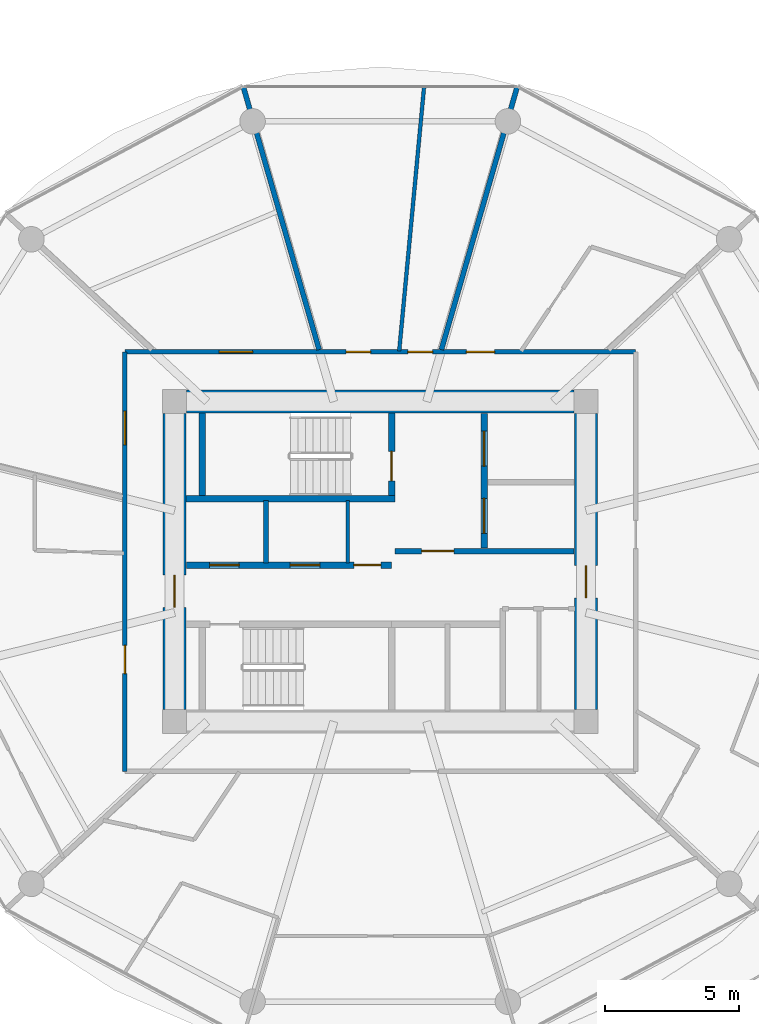
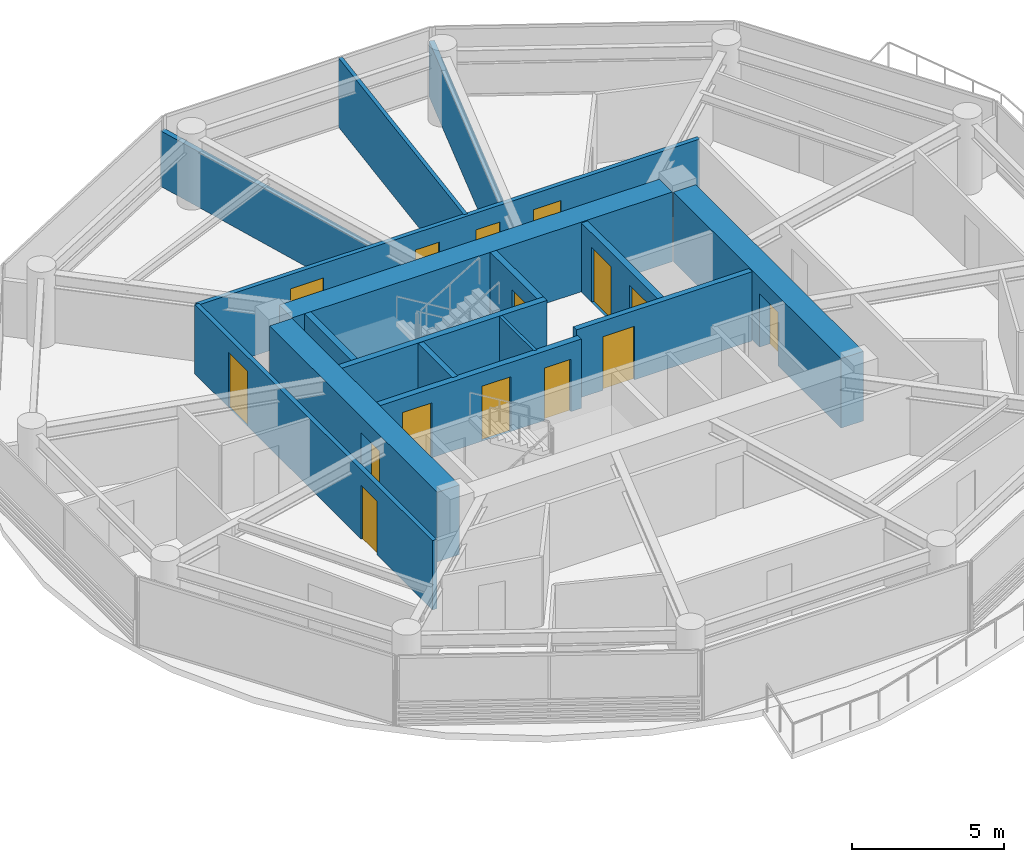
# One storey, part 20 of 27: 16 walls, 15 doors, 15 openings.
"""IFC4 building model written with IfcOpenShell, lengths in metres."""

from ifc_helpers import new_model, si_unit, direction, frame, frame_2d, origin, place, context, subcontext, project, spatial, rectangle, extrude, source, transform, mapped, material, layer, layer_set, type_object, type_shapes, element, fill, save


model = new_model("IFC4")

# Units and contexts
model_context = context("Model", 3, precision=1e-05, world=origin(), true_north=direction((0.0, 1.0)))
body_context = subcontext(model_context, "Body", "Model", "MODEL_VIEW")
ifc_project = project(units=[si_unit("LENGTHUNIT", "METRE"), si_unit("AREAUNIT", "SQUARE_METRE"), si_unit("VOLUMEUNIT", "CUBIC_METRE"), si_unit("PLANEANGLEUNIT", "RADIAN"), si_unit("MASSUNIT", "GRAM", prefix="KILO")], contexts=[model_context])

# Site, building, storey
site_placement = place(None, origin())
site = spatial("IfcSite", under=ifc_project, at=site_placement, CompositionType="ELEMENT")
building_placement = place(site_placement, origin())
building = spatial("IfcBuilding", under=site, at=building_placement, Name="Norrkilde Senior Care Towers", CompositionType="ELEMENT")
storey_placement = place(building_placement, frame((0.0, 0.0, 33.800048828125)))
storey = spatial("IfcBuildingStorey", under=building, at=storey_placement, Name="L09", CompositionType="ELEMENT", Elevation=33.800048828125)

# Wall
ifc_material_1 = material(Name="Concrete C60/75", Category="concrete")
ifc_layer_1 = layer(ifc_material_1, 0.85009765625)
ifc_layer_set_1 = layer_set([ifc_layer_1], Name="Concrete C60/75")
wall_type_1 = type_object("IfcWallType", Name="Core Shear Wall Z1 850", PredefinedType="SHEAR", material=ifc_layer_set_1)
shared_shape_1 = source(origin(), body_context, "Body", "SweptSolid", [
    extrude(rectangle(XDim=14.39990234375, YDim=0.85009765625, at=frame_2d((7.199951171875, 0.0))), origin(), (0.0, 0.0, 1.0), 2.7900390625),
])
wall_1_placement = place(storey_placement, frame((20.800048828125, 5.949951171875, 0.0), z_axis=(0.0, 0.0, 1.0), x_axis=(1.0, 0.0, 0.0)))
element("IfcWall", 1, at=wall_1_placement, inside=storey, type_object=wall_type_1, Name="L09 Core E North Shear Wall", PredefinedType="SHEAR", context=body_context, shape_type="MappedRepresentation", body=[
    mapped(shared_shape_1, transform((0.0, 0.0, 0.0), x_axis=(1.0, 0.0, 0.0), y_axis=(0.0, 1.0, 0.0), z_axis=(0.0, 0.0, 1.0), scale=1.0)),
])

# Wall, opening, door
shared_shape_2 = source(origin(), body_context, "Body", "SweptSolid", [
    extrude(rectangle(XDim=11.0, YDim=0.85009765625, at=frame_2d((5.5, 0.0))), origin(), (0.0, 0.0, 1.0), 2.7900390625),
])
type_shapes(wall_type_1, [shared_shape_1, shared_shape_2])
wall_2_placement = place(storey_placement, frame((20.35009765625, -5.5, 0.0), z_axis=(0.0, 0.0, 1.0), x_axis=(0.0, 1.0, 0.0)))
wall_2 = element("IfcWall", 2, at=wall_2_placement, inside=storey, type_object=wall_type_1, Name="L09 Core E West Shear Wall", PredefinedType="SHEAR", context=body_context, shape_type="MappedRepresentation", body=[
    mapped(shared_shape_2, transform((0.0, 0.0, 0.0), x_axis=(1.0, 0.0, 0.0), y_axis=(0.0, 1.0, 0.0), z_axis=(0.0, 0.0, 1.0), scale=1.0)),
])
opening_1_placement = place(wall_2_placement, frame((3.800048828125, 0.0, 0.0)))
opening_1 = element("IfcOpeningElement", 3, at=opening_1_placement, cuts=wall_2, Name="Opening D-04", PredefinedType="OPENING", context=body_context, shape_type="SweptSolid", body=[
    extrude(rectangle(XDim=1.199951171875, YDim=2.14990234375, at=frame_2d((0.60009765625, 1.074951171875))), frame((0.0, 0.43505859375, 0.0), z_axis=(0.0, -1.0, 0.0), x_axis=(1.0, 0.0, 0.0)), (0.0, 0.0, 1.0), 0.8701171875),
])
ifc_material_2 = material(Name="Galvanised Painted Steel", Category="steel")
door_type_1 = type_object("IfcDoorType", Name="Firefighting Lobby Fire Door 1200x2150", OperationType="NOTDEFINED", PredefinedType="DOOR", material=ifc_material_2)
shared_shape_3 = source(origin(), body_context, "Body", "SweptSolid", [
    extrude(rectangle(XDim=1.199951171875, YDim=2.14990234375, at=frame_2d((0.60009765625, 1.074951171875))), frame((0.0, 0.02490234375, 0.0), z_axis=(0.0, -1.0, 0.0), x_axis=(1.0, 0.0, 0.0)), (0.0, 0.0, 1.0), 0.050048828125),
])
type_shapes(door_type_1, [shared_shape_3])
door_1_placement = place(opening_1_placement, frame((1.199951171875, 0.0, 0.0), z_axis=(0.0, 0.0, 1.0), x_axis=(-1.0, 0.0, 0.0)))
door_1 = element("IfcDoor", 4, at=door_1_placement, inside=storey, type_object=door_type_1, Name="L09 Core E West Portal Door", OperationType="SINGLE_SWING_LEFT", OverallHeight=2.14990234375, OverallWidth=1.199951171875, PredefinedType="DOOR", context=body_context, shape_type="MappedRepresentation", body=[
    mapped(shared_shape_3, transform((0.0, 0.0, 0.0), x_axis=(1.0, 0.0, 0.0), y_axis=(0.0, 1.0, 0.0), z_axis=(0.0, 0.0, 1.0), scale=1.0)),
])
fill(opening_1, door_1)

wall_3_placement = place(storey_placement, frame((35.64990234375, 5.5, 0.0), z_axis=(0.0, 0.0, 1.0), x_axis=(0.0, -1.0, 0.0)))
wall_3 = element("IfcWall", 5, at=wall_3_placement, inside=storey, type_object=wall_type_1, Name="L09 Core E East Shear Wall", PredefinedType="SHEAR", context=body_context, shape_type="MappedRepresentation", body=[
    mapped(shared_shape_2, transform((0.0, 0.0, 0.0), x_axis=(1.0, 0.0, 0.0), y_axis=(0.0, 1.0, 0.0), z_axis=(0.0, 0.0, 1.0), scale=1.0)),
])
opening_2_placement = place(wall_3_placement, frame((5.64990234375, 0.0, 0.0)))
opening_2 = element("IfcOpeningElement", 6, at=opening_2_placement, cuts=wall_3, Name="Opening D-04", PredefinedType="OPENING", context=body_context, shape_type="SweptSolid", body=[
    extrude(rectangle(XDim=1.199951171875, YDim=2.14990234375, at=frame_2d((0.60009765625, 1.074951171875))), frame((0.0, 0.43505859375, 0.0), z_axis=(0.0, -1.0, 0.0), x_axis=(1.0, 0.0, 0.0)), (0.0, 0.0, 1.0), 0.8701171875),
])
door_2_placement = place(opening_2_placement, frame((1.199951171875, 0.0, 0.0), z_axis=(0.0, 0.0, 1.0), x_axis=(-1.0, 0.0, 0.0)))
door_2 = element("IfcDoor", 7, at=door_2_placement, inside=storey, type_object=door_type_1, Name="L09 Core E East Portal Door", OperationType="SINGLE_SWING_RIGHT", OverallHeight=2.14990234375, OverallWidth=1.199951171875, PredefinedType="DOOR", context=body_context, shape_type="MappedRepresentation", body=[
    mapped(shared_shape_3, transform((0.0, 0.0, 0.0), x_axis=(1.0, 0.0, 0.0), y_axis=(0.0, 1.0, 0.0), z_axis=(0.0, 0.0, 1.0), scale=1.0)),
])
fill(opening_2, door_2)

# Wall, openings, doors
ifc_material_3 = material(Name="Concrete C45/55", Category="concrete")
ifc_layer_2 = layer(ifc_material_3, 0.239990234375)
ifc_layer_set_2 = layer_set([ifc_layer_2], Name="Concrete C45/55")
wall_type_2 = type_object("IfcWallType", Name="Lift and Plant Rated Enclosure Partition 240", PredefinedType="PARTITIONING", material=ifc_layer_set_2)
shared_shape_4 = source(origin(), body_context, "Body", "SweptSolid", [
    extrude(rectangle(XDim=5.0, YDim=0.239990234375, at=frame_2d((2.5, 0.0))), origin(), (0.0, 0.0, 1.0), 2.77490234375),
])
wall_4_placement = place(storey_placement, frame((31.860107421875, 0.5, 0.0), z_axis=(0.0, 0.0, 1.0), x_axis=(0.0, 1.0, 0.0)))
wall_4 = element("IfcWall", 8, at=wall_4_placement, inside=storey, type_object=wall_type_2, Name="WL-INT-L09-E-FFLE", PredefinedType="PARTITIONING", context=body_context, shape_type="MappedRepresentation", body=[
    mapped(shared_shape_4, transform((0.0, 0.0, 0.0), x_axis=(1.0, 0.0, 0.0), y_axis=(0.0, 1.0, 0.0), z_axis=(0.0, 0.0, 1.0), scale=1.0)),
])
opening_3_placement = place(wall_4_placement, frame((3.050048828125, 0.0, 0.0)))
opening_3 = element("IfcOpeningElement", 9, at=opening_3_placement, cuts=wall_4, Name="Opening LD-02", PredefinedType="OPENING", context=body_context, shape_type="SweptSolid", body=[
    extrude(rectangle(XDim=1.300048828125, YDim=2.199951171875, at=frame_2d((0.64990234375, 1.10009765625))), frame((0.0, 0.1298828125, 0.0), z_axis=(0.0, -1.0, 0.0), x_axis=(1.0, 0.0, 0.0)), (0.0, 0.0, 1.0), 0.260009765625),
])
opening_4_placement = place(wall_4_placement, frame((0.550048828125, 0.0, 0.0)))
opening_4 = element("IfcOpeningElement", 10, at=opening_4_placement, cuts=wall_4, Name="Opening LD-02", PredefinedType="OPENING", context=body_context, shape_type="SweptSolid", body=[
    extrude(rectangle(XDim=1.300048828125, YDim=2.199951171875, at=frame_2d((0.64990234375, 1.10009765625))), frame((0.0, 0.1298828125, 0.0), z_axis=(0.0, -1.0, 0.0), x_axis=(1.0, 0.0, 0.0)), (0.0, 0.0, 1.0), 0.260009765625),
])
ifc_material_4 = material(Name="Stainless Steel", Category="steel")
door_type_2 = type_object("IfcDoorType", Name="Stretcher and FFL Landing Sliding Door 1300x2200", OperationType="NOTDEFINED", PredefinedType="DOOR", material=ifc_material_4)
shared_shape_5 = source(origin(), body_context, "Body", "SweptSolid", [
    extrude(rectangle(XDim=1.300048828125, YDim=2.199951171875, at=frame_2d((0.64990234375, 1.10009765625))), frame((0.0, 0.02490234375, 0.0), z_axis=(0.0, -1.0, 0.0), x_axis=(1.0, 0.0, 0.0)), (0.0, 0.0, 1.0), 0.050048828125),
])
type_shapes(door_type_2, [shared_shape_5])
door_3_placement = place(opening_3_placement, origin())
door_3 = element("IfcDoor", 11, at=door_3_placement, inside=storey, type_object=door_type_2, Name="L09 Firefighting Lift E1 Landing Door", OperationType="SLIDING_TO_LEFT", OverallHeight=2.199951171875, OverallWidth=1.300048828125, PredefinedType="DOOR", context=body_context, shape_type="MappedRepresentation", body=[
    mapped(shared_shape_5, transform((0.0, 0.0, 0.0), x_axis=(1.0, 0.0, 0.0), y_axis=(0.0, 1.0, 0.0), z_axis=(0.0, 0.0, 1.0), scale=1.0)),
])
fill(opening_3, door_3)
door_4_placement = place(opening_4_placement, origin())
door_4 = element("IfcDoor", 12, at=door_4_placement, inside=storey, type_object=door_type_2, Name="L09 Stretcher Lift E1 Landing Door", OperationType="SLIDING_TO_RIGHT", OverallHeight=2.199951171875, OverallWidth=1.300048828125, PredefinedType="DOOR", context=body_context, shape_type="MappedRepresentation", body=[
    mapped(shared_shape_5, transform((0.0, 0.0, 0.0), x_axis=(1.0, 0.0, 0.0), y_axis=(0.0, 1.0, 0.0), z_axis=(0.0, 0.0, 1.0), scale=1.0)),
])
fill(opening_4, door_4)

# Wall, opening, door
ifc_layer_3 = layer(ifc_material_3, 0.2099609375)
ifc_layer_set_3 = layer_set([ifc_layer_3], Name="Concrete C45/55")
wall_type_3 = type_object("IfcWallType", Name="Firefighting Lobby Wall 210", PredefinedType="PARTITIONING", material=ifc_layer_set_3)
shared_shape_6 = source(origin(), body_context, "Body", "SweptSolid", [
    extrude(rectangle(XDim=6.659912109375, YDim=0.2099609375, at=frame_2d((3.330078125, 0.0))), origin(), (0.0, 0.0, 1.0), 2.77490234375),
])
type_shapes(wall_type_3, [shared_shape_6])
wall_5_placement = place(storey_placement, frame((28.5400390625, 0.389892578125, 0.0), z_axis=(0.0, 0.0, 1.0), x_axis=(1.0, 0.0, 0.0)))
wall_5 = element("IfcWall", 13, at=wall_5_placement, inside=storey, type_object=wall_type_3, Name="WL-INT-L09-E-FFLS", PredefinedType="PARTITIONING", context=body_context, shape_type="MappedRepresentation", body=[
    mapped(shared_shape_6, transform((0.0, 0.0, 0.0), x_axis=(1.0, 0.0, 0.0), y_axis=(0.0, 1.0, 0.0), z_axis=(0.0, 0.0, 1.0), scale=1.0)),
])
opening_5_placement = place(wall_5_placement, frame((1.0, 0.0, 0.0)))
opening_5 = element("IfcOpeningElement", 14, at=opening_5_placement, cuts=wall_5, Name="Opening D-04", PredefinedType="OPENING", context=body_context, shape_type="SweptSolid", body=[
    extrude(rectangle(XDim=1.199951171875, YDim=2.14990234375, at=frame_2d((0.60009765625, 1.074951171875))), frame((0.0, 0.114990234375, 0.0), z_axis=(0.0, -1.0, 0.0), x_axis=(1.0, 0.0, 0.0)), (0.0, 0.0, 1.0), 0.22998046875),
])
door_5_placement = place(opening_5_placement, frame((1.199951171875, 0.0, 0.0), z_axis=(0.0, 0.0, 1.0), x_axis=(-1.0, 0.0, 0.0)))
door_5 = element("IfcDoor", 15, at=door_5_placement, inside=storey, type_object=door_type_1, Name="L09 Firefighting Lobby E Door", OperationType="SINGLE_SWING_LEFT", OverallHeight=2.14990234375, OverallWidth=1.199951171875, PredefinedType="DOOR", context=body_context, shape_type="MappedRepresentation", body=[
    mapped(shared_shape_3, transform((0.0, 0.0, 0.0), x_axis=(1.0, 0.0, 0.0), y_axis=(0.0, 1.0, 0.0), z_axis=(0.0, 0.0, 1.0), scale=1.0)),
])
fill(opening_5, door_5)

# Wall, openings, doors
shared_shape_7 = source(origin(), body_context, "Body", "SweptSolid", [
    extrude(rectangle(XDim=7.619873046875, YDim=0.239990234375, at=frame_2d((3.81005859375, 0.0))), origin(), (0.0, 0.0, 1.0), 2.77490234375),
])
type_shapes(wall_type_2, [shared_shape_4, shared_shape_7])
wall_6_placement = place(storey_placement, frame((20.800048828125, -0.1298828125, 0.0), z_axis=(0.0, 0.0, 1.0), x_axis=(1.0, 0.0, 0.0)))
wall_6 = element("IfcWall", 16, at=wall_6_placement, inside=storey, type_object=wall_type_2, Name="WL-INT-L09-E-PKAS", PredefinedType="PARTITIONING", context=body_context, shape_type="MappedRepresentation", body=[
    mapped(shared_shape_7, transform((0.0, 0.0, 0.0), x_axis=(1.0, 0.0, 0.0), y_axis=(0.0, 1.0, 0.0), z_axis=(0.0, 0.0, 1.0), scale=1.0)),
])
opening_6_placement = place(wall_6_placement, frame((6.219970703125, 0.0, 0.0)))
opening_6 = element("IfcOpeningElement", 17, at=opening_6_placement, cuts=wall_6, Name="Opening D-10", PredefinedType="OPENING", context=body_context, shape_type="SweptSolid", body=[
    extrude(rectangle(XDim=1.0, YDim=2.10009765625, at=frame_2d((0.5, 1.050048828125))), frame((0.0, 0.1298828125, 0.0), z_axis=(0.0, -1.0, 0.0), x_axis=(1.0, 0.0, 0.0)), (0.0, 0.0, 1.0), 0.260009765625),
])
opening_7_placement = place(wall_6_placement, frame((0.85009765625, 0.0, 0.0)))
opening_7 = element("IfcOpeningElement", 18, at=opening_7_placement, cuts=wall_6, Name="Opening LD-01", PredefinedType="OPENING", context=body_context, shape_type="SweptSolid", body=[
    extrude(rectangle(XDim=1.10009765625, YDim=2.199951171875, at=frame_2d((0.550048828125, 1.10009765625))), frame((0.0, 0.1298828125, 0.0), z_axis=(0.0, -1.0, 0.0), x_axis=(1.0, 0.0, 0.0)), (0.0, 0.0, 1.0), 0.260009765625),
])
opening_8_placement = place(wall_6_placement, frame((3.85009765625, 0.0, 0.0)))
opening_8 = element("IfcOpeningElement", 19, at=opening_8_placement, cuts=wall_6, Name="Opening LD-01", PredefinedType="OPENING", context=body_context, shape_type="SweptSolid", body=[
    extrude(rectangle(XDim=1.10009765625, YDim=2.199951171875, at=frame_2d((0.550048828125, 1.10009765625))), frame((0.0, 0.1298828125, 0.0), z_axis=(0.0, -1.0, 0.0), x_axis=(1.0, 0.0, 0.0)), (0.0, 0.0, 1.0), 0.260009765625),
])
door_type_3 = type_object("IfcDoorType", Name="Plant and Riser Rated Door 1000x2100", OperationType="NOTDEFINED", PredefinedType="DOOR", material=ifc_material_2)
shared_shape_8 = source(origin(), body_context, "Body", "SweptSolid", [
    extrude(rectangle(XDim=1.0, YDim=2.10009765625, at=frame_2d((0.5, 1.050048828125))), frame((0.0, 0.02490234375, 0.0), z_axis=(0.0, -1.0, 0.0), x_axis=(1.0, 0.0, 0.0)), (0.0, 0.0, 1.0), 0.050048828125),
])
type_shapes(door_type_3, [shared_shape_8])
door_6_placement = place(opening_6_placement, frame((1.0, 0.0, 0.0), z_axis=(0.0, 0.0, 1.0), x_axis=(-1.0, 0.0, 0.0)))
door_6 = element("IfcDoor", 20, at=door_6_placement, inside=storey, type_object=door_type_3, Name="L09 Electrical Riser E Door", OperationType="SINGLE_SWING_LEFT", OverallHeight=2.10009765625, OverallWidth=1.0, PredefinedType="DOOR", context=body_context, shape_type="MappedRepresentation", body=[
    mapped(shared_shape_8, transform((0.0, 0.0, 0.0), x_axis=(1.0, 0.0, 0.0), y_axis=(0.0, 1.0, 0.0), z_axis=(0.0, 0.0, 1.0), scale=1.0)),
])
fill(opening_6, door_6)
door_type_4 = type_object("IfcDoorType", Name="Lift Landing Sliding Door 1100x2200", OperationType="NOTDEFINED", PredefinedType="DOOR", material=ifc_material_4)
shared_shape_9 = source(origin(), body_context, "Body", "SweptSolid", [
    extrude(rectangle(XDim=1.10009765625, YDim=2.199951171875, at=frame_2d((0.550048828125, 1.10009765625))), frame((0.0, 0.02490234375, 0.0), z_axis=(0.0, -1.0, 0.0), x_axis=(1.0, 0.0, 0.0)), (0.0, 0.0, 1.0), 0.050048828125),
])
type_shapes(door_type_4, [shared_shape_9])
door_7_placement = place(opening_7_placement, origin())
door_7 = element("IfcDoor", 21, at=door_7_placement, inside=storey, type_object=door_type_4, Name="L09 Passenger Lift E1 Landing Door", OperationType="SLIDING_TO_LEFT", OverallHeight=2.199951171875, OverallWidth=1.10009765625, PredefinedType="DOOR", context=body_context, shape_type="MappedRepresentation", body=[
    mapped(shared_shape_9, transform((0.0, 0.0, 0.0), x_axis=(1.0, 0.0, 0.0), y_axis=(0.0, 1.0, 0.0), z_axis=(0.0, 0.0, 1.0), scale=1.0)),
])
fill(opening_7, door_7)
door_8_placement = place(opening_8_placement, origin())
door_8 = element("IfcDoor", 22, at=door_8_placement, inside=storey, type_object=door_type_4, Name="L09 Passenger Lift E2 Landing Door", OperationType="SLIDING_TO_RIGHT", OverallHeight=2.199951171875, OverallWidth=1.10009765625, PredefinedType="DOOR", context=body_context, shape_type="MappedRepresentation", body=[
    mapped(shared_shape_9, transform((0.0, 0.0, 0.0), x_axis=(1.0, 0.0, 0.0), y_axis=(0.0, 1.0, 0.0), z_axis=(0.0, 0.0, 1.0), scale=1.0)),
])
fill(opening_8, door_8)

# Walls
ifc_material_5 = material(Name="Gypsum Acoustic Board")
ifc_layer_4 = layer(ifc_material_5, 0.114990234375)
ifc_layer_set_4 = layer_set([ifc_layer_4], Name="Gypsum Acoustic Board")
wall_type_4 = type_object("IfcWallType", Name="Internal Room Partition 115", PredefinedType="PARTITIONING", material=ifc_layer_set_4)
shared_shape_10 = source(origin(), body_context, "Body", "SweptSolid", [
    extrude(rectangle(XDim=2.330078125, YDim=0.114990234375, at=frame_2d((1.1650390625, 0.0))), origin(), (0.0, 0.0, 1.0), 2.77490234375),
])
type_shapes(wall_type_4, [shared_shape_10])
wall_7_placement = place(storey_placement, frame((26.7900390625, -0.050048828125, 0.0), z_axis=(0.0, 0.0, 1.0), x_axis=(0.0, 1.0, 0.0)))
element("IfcWall", 23, at=wall_7_placement, inside=storey, type_object=wall_type_4, Name="WL-INT-L09-E-RISW", PredefinedType="PARTITIONING", context=body_context, shape_type="MappedRepresentation", body=[
    mapped(shared_shape_10, transform((0.0, 0.0, 0.0), x_axis=(1.0, 0.0, 0.0), y_axis=(0.0, 1.0, 0.0), z_axis=(0.0, 0.0, 1.0), scale=1.0)),
])
ifc_layer_5 = layer(ifc_material_3, 0.199951171875)
ifc_layer_set_5 = layer_set([ifc_layer_5], Name="Concrete C45/55")
wall_type_5 = type_object("IfcWallType", Name="Shaft Division and Plant Partition 200", PredefinedType="PARTITIONING", material=ifc_layer_set_5)
shared_shape_11 = source(origin(), body_context, "Body", "SweptSolid", [
    extrude(rectangle(XDim=2.330078125, YDim=0.199951171875, at=frame_2d((1.1650390625, 0.0))), origin(), (0.0, 0.0, 1.0), 2.77490234375),
])
type_shapes(wall_type_5, [shared_shape_11])
wall_8_placement = place(storey_placement, frame((23.75, -0.050048828125, 0.0), z_axis=(0.0, 0.0, 1.0), x_axis=(0.0, 1.0, 0.0)))
element("IfcWall", 24, at=wall_8_placement, inside=storey, type_object=wall_type_5, Name="WL-INT-L09-E-PL12", PredefinedType="PARTITIONING", context=body_context, shape_type="MappedRepresentation", body=[
    mapped(shared_shape_11, transform((0.0, 0.0, 0.0), x_axis=(1.0, 0.0, 0.0), y_axis=(0.0, 1.0, 0.0), z_axis=(0.0, 0.0, 1.0), scale=1.0)),
])

# Wall, openings, doors
ifc_layer_6 = layer(ifc_material_5, 0.1650390625)
ifc_layer_set_6 = layer_set([ifc_layer_6], Name="Gypsum Acoustic Board")
wall_type_6 = type_object("IfcWallType", Name="Corridor Rated Partition 165", PredefinedType="PARTITIONING", material=ifc_layer_set_6)
shared_shape_12 = source(origin(), body_context, "Body", "SweptSolid", [
    extrude(rectangle(XDim=19.0, YDim=0.1650390625, at=frame_2d((9.5, 0.0))), origin(), (0.0, 0.0, 1.0), 2.77490234375),
])
wall_9_placement = place(storey_placement, frame((18.5, 7.800048828125, 0.0), z_axis=(0.0, 0.0, 1.0), x_axis=(1.0, 0.0, 0.0)))
wall_9 = element("IfcWall", 25, at=wall_9_placement, inside=storey, type_object=wall_type_6, Name="WL-INT-L09-E-CRW-N-0", PredefinedType="PARTITIONING", context=body_context, shape_type="MappedRepresentation", body=[
    mapped(shared_shape_12, transform((0.0, 0.0, 0.0), x_axis=(1.0, 0.0, 0.0), y_axis=(0.0, 1.0, 0.0), z_axis=(0.0, 0.0, 1.0), scale=1.0)),
])
opening_9_placement = place(wall_9_placement, frame((10.523193359375, 0.0, 0.0)))
opening_9 = element("IfcOpeningElement", 26, at=opening_9_placement, cuts=wall_9, Name="Opening D-08", PredefinedType="OPENING", context=body_context, shape_type="SweptSolid", body=[
    extrude(rectangle(XDim=0.919921875, YDim=2.10009765625, at=frame_2d((0.4599609375, 1.050048828125))), frame((0.0, 0.092529296875, 0.0), z_axis=(0.0, -1.0, 0.0), x_axis=(1.0, 0.0, 0.0)), (0.0, 0.0, 1.0), 0.18505859375),
])
opening_10_placement = place(wall_9_placement, frame((8.2255859375, 0.0, 0.0)))
opening_10 = element("IfcOpeningElement", 27, at=opening_10_placement, cuts=wall_9, Name="Opening D-08", PredefinedType="OPENING", context=body_context, shape_type="SweptSolid", body=[
    extrude(rectangle(XDim=0.919921875, YDim=2.10009765625, at=frame_2d((0.4599609375, 1.050048828125))), frame((0.0, 0.092529296875, 0.0), z_axis=(0.0, -1.0, 0.0), x_axis=(1.0, 0.0, 0.0)), (0.0, 0.0, 1.0), 0.18505859375),
])
opening_11_placement = place(wall_9_placement, frame((3.505615234375, 0.0, 0.0)))
opening_11 = element("IfcOpeningElement", 28, at=opening_11_placement, cuts=wall_9, Name="Opening D-05", PredefinedType="OPENING", context=body_context, shape_type="SweptSolid", body=[
    extrude(rectangle(XDim=1.25, YDim=2.199951171875, at=frame_2d((0.625, 1.10009765625))), frame((0.0, 0.092529296875, 0.0), z_axis=(0.0, -1.0, 0.0), x_axis=(1.0, 0.0, 0.0)), (0.0, 0.0, 1.0), 0.18505859375),
])
opening_12_placement = place(wall_9_placement, frame((12.705810546875, 0.0, 0.0)))
opening_12 = element("IfcOpeningElement", 29, at=opening_12_placement, cuts=wall_9, Name="Opening D-06", PredefinedType="OPENING", context=body_context, shape_type="SweptSolid", body=[
    extrude(rectangle(XDim=1.050048828125, YDim=2.14990234375, at=frame_2d((0.52490234375, 1.074951171875))), frame((0.0, 0.092529296875, 0.0), z_axis=(0.0, -1.0, 0.0), x_axis=(1.0, 0.0, 0.0)), (0.0, 0.0, 1.0), 0.18505859375),
])
ifc_material_6 = material(Name="Nordic Ash Timber", Category="wood")
door_type_5 = type_object("IfcDoorType", Name="Care Bedroom Bariatric Door 1250x2200", OperationType="NOTDEFINED", PredefinedType="DOOR", material=ifc_material_6)
shared_shape_13 = source(origin(), body_context, "Body", "SweptSolid", [
    extrude(rectangle(XDim=1.25, YDim=2.199951171875, at=frame_2d((0.625, 1.10009765625))), frame((0.0, 0.02490234375, 0.0), z_axis=(0.0, -1.0, 0.0), x_axis=(1.0, 0.0, 0.0)), (0.0, 0.0, 1.0), 0.050048828125),
])
type_shapes(door_type_5, [shared_shape_13])
door_9_placement = place(opening_11_placement, frame((1.25, 0.0, 0.0), z_axis=(0.0, 0.0, 1.0), x_axis=(-1.0, 0.0, 0.0)))
door_9 = element("IfcDoor", 30, at=door_9_placement, inside=storey, type_object=door_type_5, Name="L09 Resident Therapeutic Day Lounge Door", OperationType="SINGLE_SWING_RIGHT", OverallHeight=2.199951171875, OverallWidth=1.25, PredefinedType="DOOR", context=body_context, shape_type="MappedRepresentation", body=[
    mapped(shared_shape_13, transform((0.0, 0.0, 0.0), x_axis=(1.0, 0.0, 0.0), y_axis=(0.0, 1.0, 0.0), z_axis=(0.0, 0.0, 1.0), scale=1.0)),
])
fill(opening_11, door_9)
door_type_6 = type_object("IfcDoorType", Name="Accessible Wet Room Door 920x2100", OperationType="NOTDEFINED", PredefinedType="DOOR", material=ifc_material_6)
shared_shape_14 = source(origin(), body_context, "Body", "SweptSolid", [
    extrude(rectangle(XDim=0.919921875, YDim=2.10009765625, at=frame_2d((0.4599609375, 1.050048828125))), frame((0.0, 0.02490234375, 0.0), z_axis=(0.0, -1.0, 0.0), x_axis=(1.0, 0.0, 0.0)), (0.0, 0.0, 1.0), 0.050048828125),
])
type_shapes(door_type_6, [shared_shape_14])
door_10_placement = place(opening_9_placement, frame((0.919921875, 0.0, 0.0), z_axis=(0.0, 0.0, 1.0), x_axis=(-1.0, 0.0, 0.0)))
door_10 = element("IfcDoor", 31, at=door_10_placement, inside=storey, type_object=door_type_6, Name="L09 Accessible Restroom Door", OperationType="SINGLE_SWING_LEFT", OverallHeight=2.10009765625, OverallWidth=0.919921875, PredefinedType="DOOR", context=body_context, shape_type="MappedRepresentation", body=[
    mapped(shared_shape_14, transform((0.0, 0.0, 0.0), x_axis=(1.0, 0.0, 0.0), y_axis=(0.0, 1.0, 0.0), z_axis=(0.0, 0.0, 1.0), scale=1.0)),
])
fill(opening_9, door_10)
door_11_placement = place(opening_10_placement, frame((0.919921875, 0.0, 0.0), z_axis=(0.0, 0.0, 1.0), x_axis=(-1.0, 0.0, 0.0)))
door_11 = element("IfcDoor", 32, at=door_11_placement, inside=storey, type_object=door_type_6, Name="L09 Public Restroom Door", OperationType="SINGLE_SWING_RIGHT", OverallHeight=2.10009765625, OverallWidth=0.919921875, PredefinedType="DOOR", context=body_context, shape_type="MappedRepresentation", body=[
    mapped(shared_shape_14, transform((0.0, 0.0, 0.0), x_axis=(1.0, 0.0, 0.0), y_axis=(0.0, 1.0, 0.0), z_axis=(0.0, 0.0, 1.0), scale=1.0)),
])
fill(opening_10, door_11)
door_type_7 = type_object("IfcDoorType", Name="Apartment Entrance Fire Door 1050x2150", OperationType="NOTDEFINED", PredefinedType="DOOR", material=ifc_material_6)
shared_shape_15 = source(origin(), body_context, "Body", "SweptSolid", [
    extrude(rectangle(XDim=1.050048828125, YDim=2.14990234375, at=frame_2d((0.52490234375, 1.074951171875))), frame((0.0, 0.02490234375, 0.0), z_axis=(0.0, -1.0, 0.0), x_axis=(1.0, 0.0, 0.0)), (0.0, 0.0, 1.0), 0.050048828125),
])
type_shapes(door_type_7, [shared_shape_15])
door_12_placement = place(opening_12_placement, frame((1.050048828125, 0.0, 0.0), z_axis=(0.0, 0.0, 1.0), x_axis=(-1.0, 0.0, 0.0)))
door_12 = element("IfcDoor", 33, at=door_12_placement, inside=storey, type_object=door_type_7, Name="L09 Studio 09G Entrance Door", OperationType="SINGLE_SWING_LEFT", OverallHeight=2.14990234375, OverallWidth=1.050048828125, PredefinedType="DOOR", context=body_context, shape_type="MappedRepresentation", body=[
    mapped(shared_shape_15, transform((0.0, 0.0, 0.0), x_axis=(1.0, 0.0, 0.0), y_axis=(0.0, 1.0, 0.0), z_axis=(0.0, 0.0, 1.0), scale=1.0)),
])
fill(opening_12, door_12)

shared_shape_16 = source(origin(), body_context, "Body", "SweptSolid", [
    extrude(rectangle(XDim=15.60009765625, YDim=0.1650390625, at=frame_2d((7.800048828125, 0.0))), origin(), (0.0, 0.0, 1.0), 2.77490234375),
])
type_shapes(wall_type_6, [shared_shape_12, shared_shape_16])
wall_10_placement = place(storey_placement, frame((18.5, -7.800048828125, 0.0), z_axis=(0.0, 0.0, 1.0), x_axis=(0.0, 1.0, 0.0)))
wall_10 = element("IfcWall", 34, at=wall_10_placement, inside=storey, type_object=wall_type_6, Name="WL-INT-L09-E-CRW-W-0", PredefinedType="PARTITIONING", context=body_context, shape_type="MappedRepresentation", body=[
    mapped(shared_shape_16, transform((0.0, 0.0, 0.0), x_axis=(1.0, 0.0, 0.0), y_axis=(0.0, 1.0, 0.0), z_axis=(0.0, 0.0, 1.0), scale=1.0)),
])
opening_13_placement = place(wall_10_placement, frame((12.141357421875, 0.0, 0.0)))
opening_13 = element("IfcOpeningElement", 35, at=opening_13_placement, cuts=wall_10, Name="Opening D-05", PredefinedType="OPENING", context=body_context, shape_type="SweptSolid", body=[
    extrude(rectangle(XDim=1.25, YDim=2.199951171875, at=frame_2d((0.625, 1.10009765625))), frame((0.0, 0.092529296875, 0.0), z_axis=(0.0, -1.0, 0.0), x_axis=(1.0, 0.0, 0.0)), (0.0, 0.0, 1.0), 0.18505859375),
])
opening_14_placement = place(wall_10_placement, frame((3.63037109375, 0.0, 0.0)))
opening_14 = element("IfcOpeningElement", 36, at=opening_14_placement, cuts=wall_10, Name="Opening D-06", PredefinedType="OPENING", context=body_context, shape_type="SweptSolid", body=[
    extrude(rectangle(XDim=1.050048828125, YDim=2.14990234375, at=frame_2d((0.52490234375, 1.074951171875))), frame((0.0, 0.092529296875, 0.0), z_axis=(0.0, -1.0, 0.0), x_axis=(1.0, 0.0, 0.0)), (0.0, 0.0, 1.0), 0.18505859375),
])
door_13_placement = place(opening_13_placement, frame((1.25, 0.0, 0.0), z_axis=(0.0, 0.0, 1.0), x_axis=(-1.0, 0.0, 0.0)))
door_13 = element("IfcDoor", 37, at=door_13_placement, inside=storey, type_object=door_type_5, Name="L09 Care Coordination Charting Office Door", OperationType="SINGLE_SWING_LEFT", OverallHeight=2.199951171875, OverallWidth=1.25, PredefinedType="DOOR", context=body_context, shape_type="MappedRepresentation", body=[
    mapped(shared_shape_13, transform((0.0, 0.0, 0.0), x_axis=(1.0, 0.0, 0.0), y_axis=(0.0, 1.0, 0.0), z_axis=(0.0, 0.0, 1.0), scale=1.0)),
])
fill(opening_13, door_13)
door_14_placement = place(opening_14_placement, frame((1.050048828125, 0.0, 0.0), z_axis=(0.0, 0.0, 1.0), x_axis=(-1.0, 0.0, 0.0)))
door_14 = element("IfcDoor", 38, at=door_14_placement, inside=storey, type_object=door_type_7, Name="Apartment 09D Entrance Door", OperationType="SINGLE_SWING_RIGHT", OverallHeight=2.14990234375, OverallWidth=1.050048828125, PredefinedType="DOOR", context=body_context, shape_type="MappedRepresentation", body=[
    mapped(shared_shape_15, transform((0.0, 0.0, 0.0), x_axis=(1.0, 0.0, 0.0), y_axis=(0.0, 1.0, 0.0), z_axis=(0.0, 0.0, 1.0), scale=1.0)),
])
fill(opening_14, door_14)

# Walls
ifc_layer_7 = layer(ifc_material_5, 0.18994140625)
ifc_layer_set_7 = layer_set([ifc_layer_7], Name="Gypsum Acoustic Board")
wall_type_7 = type_object("IfcWallType", Name="Unit Demising Acoustic Wall 190", PredefinedType="PARTITIONING", material=ifc_layer_set_7)
shared_shape_17 = source(origin(), body_context, "Body", "SweptSolid", [
    extrude(rectangle(XDim=10.196044921875, YDim=0.18994140625, at=frame_2d((5.09814453125, 0.0))), origin(), (0.0, 0.0, 1.0), 2.224853515625),
])
type_shapes(wall_type_7, [shared_shape_17])
for number, where, z_axis, x_axis, name in (
    (39, (30.27294921875, 7.8798828125, 0.0), (0.0, 0.0, 1.0), (0.277136420347, 0.960830580549, 0.0), "WL-INT-L09-E-DEM-02-0"),
    (40, (25.72705078125, 7.8798828125, 0.0), (0.0, 0.0, 1.0), (-0.277136420347, 0.960830580549, 0.0), "WL-INT-L09-E-DEM-03-0"),
):
    element("IfcWall", number, at=place(storey_placement, frame(where, z_axis=z_axis, x_axis=x_axis)), inside=storey, type_object=wall_type_7, Name=name, PredefinedType="PARTITIONING", context=body_context, shape_type="MappedRepresentation", body=[
        mapped(shared_shape_17, transform((0.0, 0.0, 0.0), x_axis=(1.0, 0.0, 0.0), y_axis=(0.0, 1.0, 0.0), z_axis=(0.0, 0.0, 1.0), scale=1.0)),
    ])
ifc_layer_8 = layer(ifc_material_3, 0.239990234375)
ifc_layer_set_8 = layer_set([ifc_layer_8], Name="Concrete C45/55")
wall_type_8 = type_object("IfcWallType", Name="Shaft and Stair Enclosure Wall 240", PredefinedType="PARTITIONING", material=ifc_layer_set_8)
shared_shape_18 = source(origin(), body_context, "Body", "SweptSolid", [
    extrude(rectangle(XDim=7.76513671875, YDim=0.239990234375, at=frame_2d((3.882568359375, 0.0))), origin(), (0.0, 0.0, 1.0), 2.7900390625),
])
wall_11_placement = place(storey_placement, frame((20.77490234375, 2.330078125, 0.0), z_axis=(0.0, 0.0, 1.0), x_axis=(1.0, 0.0, 0.0)))
element("IfcWall", 41, at=wall_11_placement, inside=storey, type_object=wall_type_8, Name="WL-INT-L09-E-ST1S", PredefinedType="PARTITIONING", context=body_context, shape_type="MappedRepresentation", body=[
    mapped(shared_shape_18, transform((0.0, 0.0, 0.0), x_axis=(1.0, 0.0, 0.0), y_axis=(0.0, 1.0, 0.0), z_axis=(0.0, 0.0, 1.0), scale=1.0)),
])
shared_shape_19 = source(origin(), body_context, "Body", "SweptSolid", [
    extrude(rectangle(XDim=3.074951171875, YDim=0.239990234375, at=frame_2d((1.53759765625, 0.0))), origin(), (0.0, 0.0, 1.0), 2.7900390625),
])
type_shapes(wall_type_8, [shared_shape_18, shared_shape_19])
wall_12_placement = place(storey_placement, frame((21.3798828125, 2.449951171875, 0.0), z_axis=(0.0, 0.0, 1.0), x_axis=(0.0, 1.0, 0.0)))
element("IfcWall", 42, at=wall_12_placement, inside=storey, type_object=wall_type_8, Name="WL-INT-L09-E-ST1W", PredefinedType="PARTITIONING", context=body_context, shape_type="MappedRepresentation", body=[
    mapped(shared_shape_19, transform((0.0, 0.0, 0.0), x_axis=(1.0, 0.0, 0.0), y_axis=(0.0, 1.0, 0.0), z_axis=(0.0, 0.0, 1.0), scale=1.0)),
])

# Wall, opening, door
wall_13_placement = place(storey_placement, frame((28.419921875, 2.449951171875, 0.0), z_axis=(0.0, 0.0, 1.0), x_axis=(0.0, 1.0, 0.0)))
wall_13 = element("IfcWall", 43, at=wall_13_placement, inside=storey, type_object=wall_type_8, Name="WL-INT-L09-E-ST1E", PredefinedType="PARTITIONING", context=body_context, shape_type="MappedRepresentation", body=[
    mapped(shared_shape_19, transform((0.0, 0.0, 0.0), x_axis=(1.0, 0.0, 0.0), y_axis=(0.0, 1.0, 0.0), z_axis=(0.0, 0.0, 1.0), scale=1.0)),
])
opening_15_placement = place(wall_13_placement, frame((0.550048828125, 0.0, 0.0)))
opening_15 = element("IfcOpeningElement", 44, at=opening_15_placement, cuts=wall_13, Name="Opening D-03", PredefinedType="OPENING", context=body_context, shape_type="SweptSolid", body=[
    extrude(rectangle(XDim=1.10009765625, YDim=2.14990234375, at=frame_2d((0.550048828125, 1.074951171875))), frame((0.0, 0.1298828125, 0.0), z_axis=(0.0, -1.0, 0.0), x_axis=(1.0, 0.0, 0.0)), (0.0, 0.0, 1.0), 0.260009765625),
])
door_type_8 = type_object("IfcDoorType", Name="Stairwell Protected Fire Door 1100x2150", OperationType="NOTDEFINED", PredefinedType="DOOR", material=ifc_material_2)
shared_shape_20 = source(origin(), body_context, "Body", "SweptSolid", [
    extrude(rectangle(XDim=1.10009765625, YDim=2.14990234375, at=frame_2d((0.550048828125, 1.074951171875))), frame((0.0, 0.02490234375, 0.0), z_axis=(0.0, -1.0, 0.0), x_axis=(1.0, 0.0, 0.0)), (0.0, 0.0, 1.0), 0.050048828125),
])
type_shapes(door_type_8, [shared_shape_20])
door_15_placement = place(opening_15_placement, origin())
door_15 = element("IfcDoor", 45, at=door_15_placement, inside=storey, type_object=door_type_8, Name="L09 Stair E1 Fire Door", OperationType="SINGLE_SWING_LEFT", OverallHeight=2.14990234375, OverallWidth=1.10009765625, PredefinedType="DOOR", context=body_context, shape_type="MappedRepresentation", body=[
    mapped(shared_shape_20, transform((0.0, 0.0, 0.0), x_axis=(1.0, 0.0, 0.0), y_axis=(0.0, 1.0, 0.0), z_axis=(0.0, 0.0, 1.0), scale=1.0)),
])
fill(opening_15, door_15)

# Wall
ifc_layer_9 = layer(ifc_material_5, 0.139892578125)
ifc_layer_set_9 = layer_set([ifc_layer_9], Name="Gypsum Acoustic Board")
wall_type_9 = type_object("IfcWallType", Name="En-suite Wet Room Wall 140", PredefinedType="PARTITIONING", material=ifc_layer_set_9)
shared_shape_21 = source(origin(), body_context, "Body", "SweptSolid", [
    extrude(rectangle(XDim=9.89013671875, YDim=0.139892578125, at=frame_2d((4.945068359375, 0.0))), origin(), (0.0, 0.0, 1.0), 2.77490234375),
])
type_shapes(wall_type_9, [shared_shape_21])
wall_14_placement = place(storey_placement, frame((28.7041015625, 7.830078125, 0.0), z_axis=(0.0, 0.0, 1.0), x_axis=(0.093780403478, 0.995592906726, 0.0)))
element("IfcWall", 46, at=wall_14_placement, inside=storey, type_object=wall_type_9, Name="WL-INT-L09-E-MID-02", PredefinedType="PARTITIONING", context=body_context, shape_type="MappedRepresentation", body=[
    mapped(shared_shape_21, transform((0.0, 0.0, 0.0), x_axis=(1.0, 0.0, 0.0), y_axis=(0.0, 1.0, 0.0), z_axis=(0.0, 0.0, 1.0), scale=1.0)),
])

save(model, "model.ifc")
